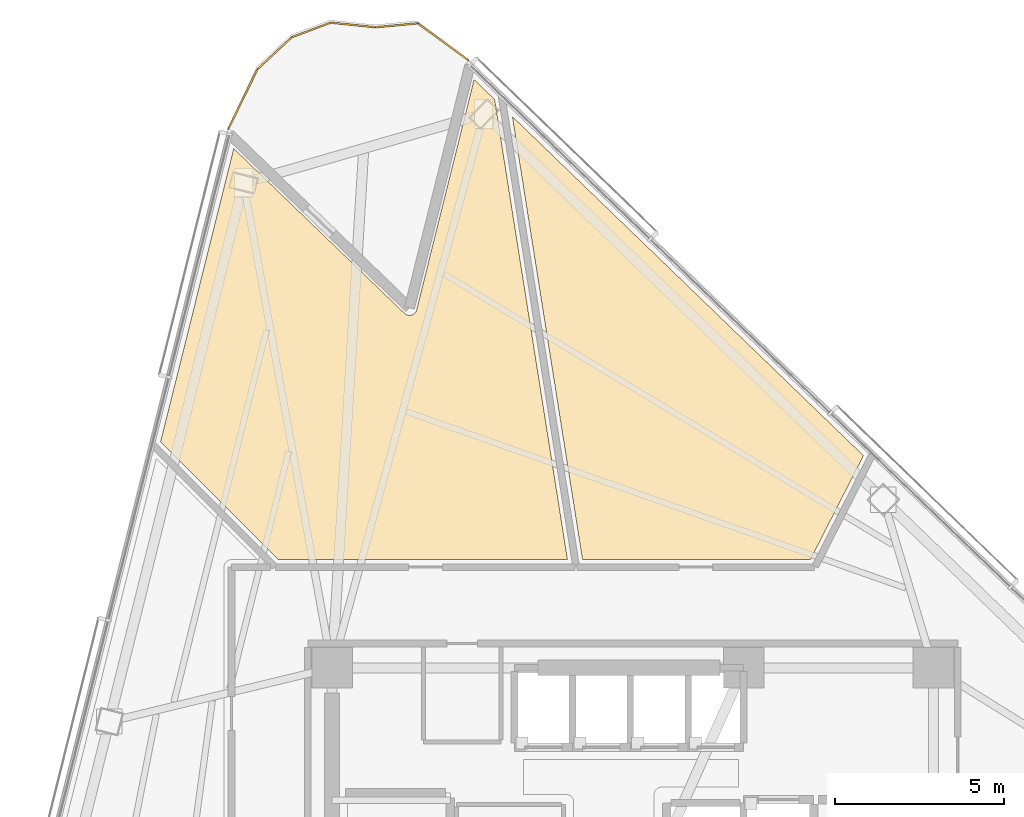
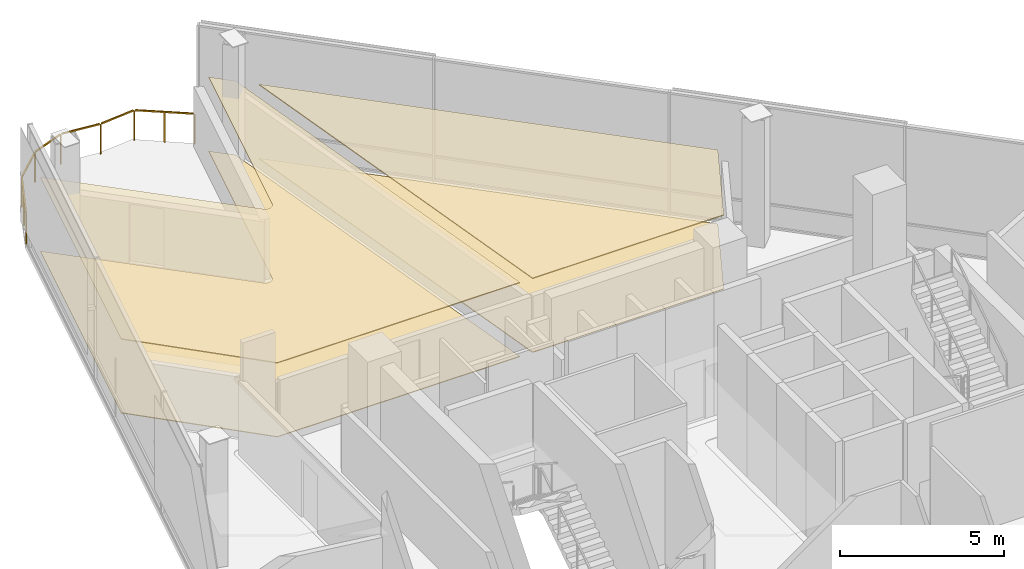
# One storey, part 18 of 18: 4 coverings, 1 railing.
"""IFC4 building model written with IfcOpenShell, lengths in metres."""

from ifc_helpers import new_model, si_unit, direction, frame, origin, origin_2d, place, context, subcontext, project, spatial, polyline, rectangle, outline, extrude, material, layer, layer_set, type_object, element, save


model = new_model("IFC4")

# Units and contexts
model_context = context("Model", 3, precision=1e-05, world=origin(), true_north=direction((0.0, 1.0)))
body_context = subcontext(model_context, "Body", "Model", "MODEL_VIEW")
ifc_project = project(units=[si_unit("LENGTHUNIT", "METRE"), si_unit("AREAUNIT", "SQUARE_METRE"), si_unit("VOLUMEUNIT", "CUBIC_METRE"), si_unit("PLANEANGLEUNIT", "RADIAN"), si_unit("MASSUNIT", "GRAM", prefix="KILO")], contexts=[model_context])

# Site, building, storey
site_placement = place(None, origin())
site = spatial("IfcSite", under=ifc_project, at=site_placement, CompositionType="ELEMENT")
building_placement = place(site_placement, origin())
building = spatial("IfcBuilding", under=site, at=building_placement, Name="Tharavind Bronze Gate", CompositionType="ELEMENT")
storey_placement = place(building_placement, frame((0.0, 0.0, 107.699951171875)))
storey = spatial("IfcBuildingStorey", under=building, at=storey_placement, Name="L27", CompositionType="ELEMENT", Elevation=107.699951171875)

# Coverings
ifc_material_1 = material(Name="Engineered Oak & Carpet Tile", Category="wood")
ifc_layer_1 = layer(ifc_material_1, 0.02490234375)
ifc_layer_set_1 = layer_set([ifc_layer_1], Name="Engineered Oak & Carpet Tile")
covering_type_1 = type_object("IfcCoveringType", Name="ENGINEERED TIMBER FLOORING", PredefinedType="FLOORING", material=ifc_layer_set_1)
covering_1_placement = place(storey_placement, origin())
element("IfcCovering", 1, at=covering_1_placement, inside=storey, type_object=covering_type_1, Name="L27-RM-01 floor finish", PredefinedType="FLOORING", context=body_context, shape_type="SweptSolid", body=[
    extrude(outline(polyline([(-1.48779296875, 10.800048828125), (5.256103515625, 10.800048828125), (6.825927734375, 13.88134765625), (-3.565185546875, 23.916015625), (-1.48779296875, 10.800048828125)])), origin(), (0.0, 0.0, 1.0), 0.025146484375),
])
covering_2_placement = place(storey_placement, origin())
element("IfcCovering", 2, at=covering_2_placement, inside=storey, type_object=covering_type_1, Name="L27-RM-02 floor finish", PredefinedType="FLOORING", context=body_context, shape_type="SweptSolid", body=[
    extrude(outline(polyline([(-10.489013671875, 10.800048828125), (-1.933349609375, 10.800048828125), (-4.091064453125, 24.423828125), (-4.69921875, 25.010986328125), (-6.39697265625, 18.201171875), (-6.39990234375, 18.1904296875), (-6.400146484375, 18.18994140625), (-6.407470703125, 18.169189453125), (-6.4169921875, 18.1494140625), (-6.42822265625, 18.130615234375), (-6.44140625, 18.11328125), (-6.456298828125, 18.096923828125), (-6.47265625, 18.08251953125), (-6.490234375, 18.069580078125), (-6.50927734375, 18.05859375), (-6.529296875, 18.04931640625), (-6.550048828125, 18.042236328125), (-6.5712890625, 18.037353515625), (-6.593017578125, 18.034423828125), (-6.614990234375, 18.03369140625), (-6.636962890625, 18.035400390625), (-6.658447265625, 18.0390625), (-6.6796875, 18.044921875), (-6.7001953125, 18.052734375), (-6.7197265625, 18.062744140625), (-6.738037109375, 18.074462890625), (-6.75537109375, 18.088134765625), (-6.755859375, 18.08837890625), (-6.763916015625, 18.095947265625), (-11.8125, 22.97119140625), (-13.977294921875, 14.288330078125), (-10.489013671875, 10.800048828125)])), origin(), (0.0, 0.0, 1.0), 0.025146484375),
])
ifc_material_2 = material(Name="Acoustic Gypsum Board", Category="gypsum")
ifc_layer_2 = layer(ifc_material_2, 0.030029296875)
ifc_layer_set_2 = layer_set([ifc_layer_2], Name="Acoustic Gypsum Board")
covering_type_2 = type_object("IfcCoveringType", Name="GYPSUM SUSPENDED CEILING", PredefinedType="CEILING", material=ifc_layer_set_2)
covering_3_placement = place(storey_placement, frame((0.0, 0.0, 2.75)))
element("IfcCovering", 3, at=covering_3_placement, inside=storey, type_object=covering_type_2, Name="L27-RM-01 suspended ceiling", PredefinedType="CEILING", context=body_context, shape_type="SweptSolid", body=[
    extrude(outline(polyline([(-1.48779296875, 10.800048828125), (5.256103515625, 10.800048828125), (6.825927734375, 13.88134765625), (-3.565185546875, 23.916015625), (-1.48779296875, 10.800048828125)])), origin(), (0.0, 0.0, 1.0), 0.03515625),
])
covering_4_placement = place(storey_placement, frame((0.0, 0.0, 2.75)))
element("IfcCovering", 4, at=covering_4_placement, inside=storey, type_object=covering_type_2, Name="L27-RM-02 suspended ceiling", PredefinedType="CEILING", context=body_context, shape_type="SweptSolid", body=[
    extrude(outline(polyline([(-10.489013671875, 10.800048828125), (-1.933349609375, 10.800048828125), (-4.091064453125, 24.423828125), (-4.69921875, 25.010986328125), (-6.39697265625, 18.201171875), (-6.39990234375, 18.1904296875), (-6.400146484375, 18.18994140625), (-6.407470703125, 18.169189453125), (-6.4169921875, 18.1494140625), (-6.42822265625, 18.130615234375), (-6.44140625, 18.11328125), (-6.456298828125, 18.096923828125), (-6.47265625, 18.08251953125), (-6.490234375, 18.069580078125), (-6.50927734375, 18.05859375), (-6.529296875, 18.04931640625), (-6.550048828125, 18.042236328125), (-6.5712890625, 18.037353515625), (-6.593017578125, 18.034423828125), (-6.614990234375, 18.03369140625), (-6.636962890625, 18.035400390625), (-6.658447265625, 18.0390625), (-6.6796875, 18.044921875), (-6.7001953125, 18.052734375), (-6.7197265625, 18.062744140625), (-6.738037109375, 18.074462890625), (-6.75537109375, 18.088134765625), (-6.755859375, 18.08837890625), (-6.763916015625, 18.095947265625), (-11.8125, 22.97119140625), (-13.977294921875, 14.288330078125), (-10.489013671875, 10.800048828125)])), origin(), (0.0, 0.0, 1.0), 0.03515625),
])

# Railing
ifc_material_3 = material(Name="Bronze Cap & Laminated Glass", Category="glass")
railing_type = type_object("IfcRailingType", Name="TERRACE GLASS GUARD RAILING 1150", PredefinedType="GUARDRAIL", material=ifc_material_3)
railing_placement = place(storey_placement, frame((-11.977783203125, 23.548095703125, 0.0)))
element("IfcRailing", 5, at=railing_placement, inside=storey, type_object=railing_type, Name="L27 tree balcony guard railing", PredefinedType="GUARDRAIL", context=body_context, shape_type="SweptSolid", body=[
    extrude(rectangle(XDim=0.048095703125, YDim=0.048095703125, at=origin_2d()), frame((0.01416015625, 0.02880859375, 1.1259765625), z_axis=(0.441156065907, 0.897430401487, 0.0), x_axis=(-0.897430401487, 0.441156065907, 0.0)), (0.0, 0.0, 1.0), 1.90625),
    extrude(rectangle(XDim=0.048095703125, YDim=0.048095703125, at=origin_2d()), frame((0.892578125, 1.7900390625, 1.1259765625), z_axis=(0.730328135608, 0.683096489772, 0.0), x_axis=(-0.683096489772, 0.730328135608, 0.0)), (0.0, 0.0, 1.0), 1.3212890625),
    extrude(rectangle(XDim=0.048095703125, YDim=0.048095703125, at=origin_2d()), frame((1.910888671875, 2.7255859375, 1.1259765625), z_axis=(0.936134406694, 0.351642393071, 0.0), x_axis=(-0.351642393071, 0.936134406694, 0.0)), (0.0, 0.0, 1.0), 1.17333984375),
    extrude(rectangle(XDim=0.048095703125, YDim=0.048095703125, at=origin_2d()), frame((3.07080078125, 3.14599609375, 1.1259765625), z_axis=(0.994513494848, -0.104608358011, 0.0), x_axis=(0.104608358011, 0.994513494848, 0.0)), (0.0, 0.0, 1.0), 1.266357421875),
    extrude(rectangle(XDim=0.048095703125, YDim=0.048095703125, at=origin_2d()), frame((4.393798828125, 3.01318359375, 1.1259765625), z_axis=(0.995611027897, 0.093587825761, 0.0), x_axis=(-0.093587825761, 0.995611027897, 0.0)), (0.0, 0.0, 1.0), 1.190673828125),
    extrude(rectangle(XDim=0.048095703125, YDim=0.048095703125, at=origin_2d()), frame((5.63720703125, 3.10888671875, 1.1259765625), z_axis=(0.809873110724, -0.586605101006, 0.0), x_axis=(0.586605101006, 0.809873110724, 0.0)), (0.0, 0.0, 1.0), 1.79052734375),
    extrude(rectangle(XDim=0.0400390625, YDim=0.0400390625, at=origin_2d()), origin(), (0.0, 0.0, 1.0), 1.097900390625),
    extrude(rectangle(XDim=0.0400390625, YDim=0.0400390625, at=origin_2d()), frame((0.4345703125, 0.884033203125, 0.0)), (0.0, 0.0, 1.0), 1.097900390625),
    extrude(rectangle(XDim=0.0400390625, YDim=0.0400390625, at=origin_2d()), frame((0.869140625, 1.76806640625, 0.0)), (0.0, 0.0, 1.0), 1.097900390625),
    extrude(rectangle(XDim=0.0400390625, YDim=0.0400390625, at=origin_2d()), frame((1.880859375, 2.71435546875, 0.0)), (0.0, 0.0, 1.0), 1.097900390625),
    extrude(rectangle(XDim=0.0400390625, YDim=0.0400390625, at=origin_2d()), frame((3.0390625, 3.1494140625, 0.0)), (0.0, 0.0, 1.0), 1.097900390625),
    extrude(rectangle(XDim=0.0400390625, YDim=0.0400390625, at=origin_2d()), frame((4.362060546875, 3.01025390625, 0.0)), (0.0, 0.0, 1.0), 1.097900390625),
    extrude(rectangle(XDim=0.0400390625, YDim=0.0400390625, at=origin_2d()), frame((5.611328125, 3.127685546875, 0.0)), (0.0, 0.0, 1.0), 1.097900390625),
    extrude(rectangle(XDim=0.0400390625, YDim=0.0400390625, at=origin_2d()), frame((6.3623046875, 2.583740234375, 0.0)), (0.0, 0.0, 1.0), 1.097900390625),
    extrude(rectangle(XDim=0.0400390625, YDim=0.0400390625, at=origin_2d()), frame((7.11328125, 2.039794921875, 0.0)), (0.0, 0.0, 1.0), 1.097900390625),
])

save(model, "model.ifc")
